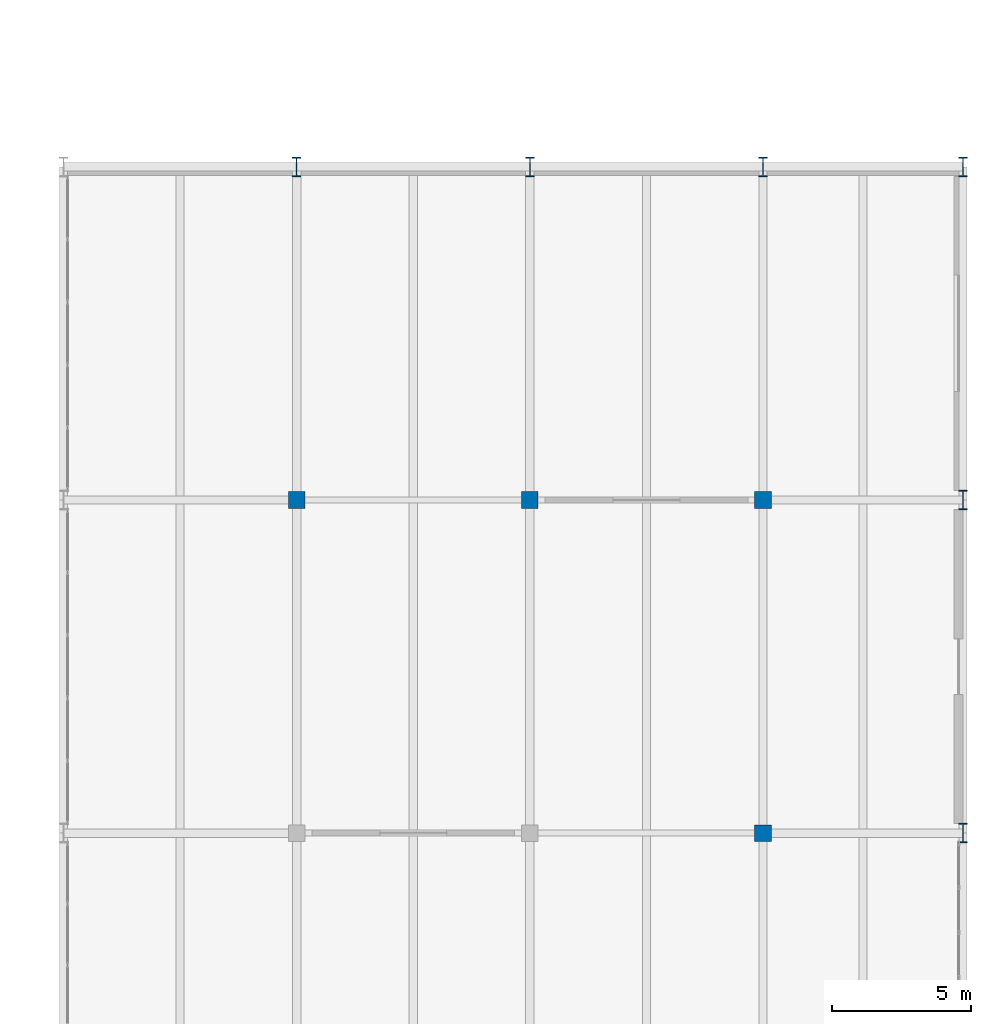
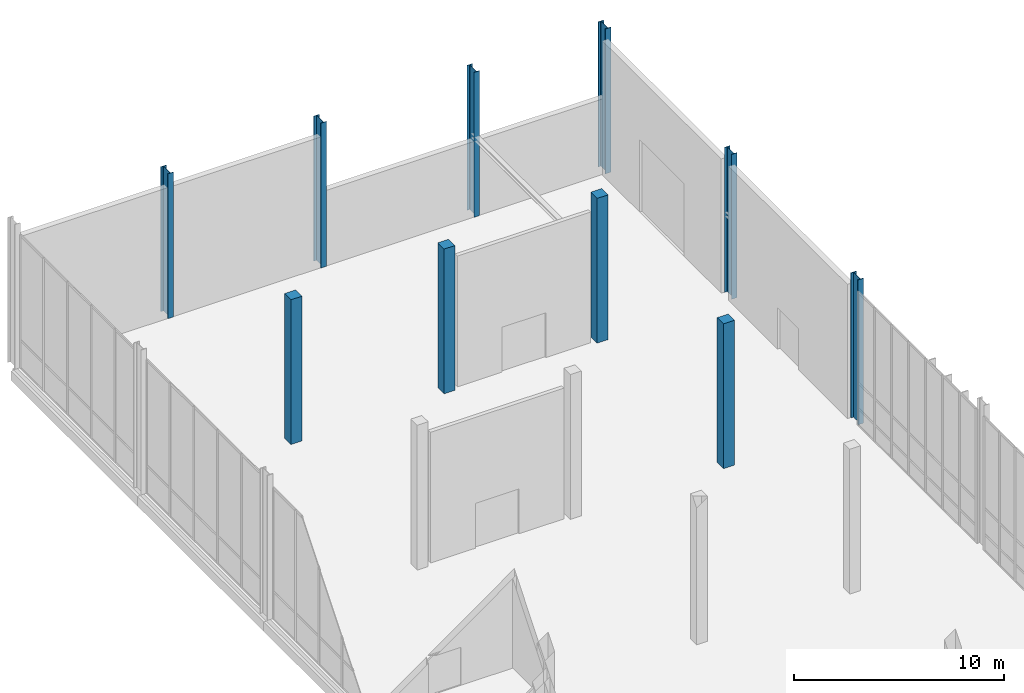
# One storey, part 14 of 131: 10 columns.
"""IFC4 building model written with IfcOpenShell, lengths in metres."""

from ifc_helpers import new_model, si_unit, direction, frame, origin, origin_2d, place, context, subcontext, project, spatial, rectangle, i_section, extrude, material, material_profile, profile_set, type_object, element, save


model = new_model("IFC4")

# Units and contexts
model_context = context("Model", 3, precision=1e-05, world=origin(), true_north=direction((0.0, 1.0)))
body_context = subcontext(model_context, "Body", "Model", "MODEL_VIEW")
ifc_project = project(units=[si_unit("LENGTHUNIT", "METRE"), si_unit("AREAUNIT", "SQUARE_METRE"), si_unit("VOLUMEUNIT", "CUBIC_METRE"), si_unit("PLANEANGLEUNIT", "RADIAN"), si_unit("MASSUNIT", "GRAM", prefix="KILO")], contexts=[model_context])

# Site, building, storey
site_placement = place(None, origin())
site = spatial("IfcSite", under=ifc_project, at=site_placement, CompositionType="ELEMENT")
building_placement = place(site_placement, origin())
building = spatial("IfcBuilding", under=site, at=building_placement, Name="Veltarok Museum of Natural Sciences", CompositionType="ELEMENT")
storey_placement = place(building_placement, origin())
storey = spatial("IfcBuildingStorey", under=building, at=storey_placement, Name="L00", CompositionType="ELEMENT", Elevation=0.0)

# Columns
ifc_material_1 = material(Name="Concrete C40/50", Category="concrete")
ifc_material_profile_1 = material_profile(ifc_material_1, rectangle(XDim=0.60009765625, YDim=0.60009765625, at=origin_2d()), Name="RC 600x600")
ifc_profile_set_1 = profile_set([ifc_material_profile_1], Name="Concrete C40/50")
column_type_1 = type_object("IfcColumnType", Name="Conservation Wing Column RC 600x600", PredefinedType="COLUMN", material=ifc_profile_set_1)
for number, where, z_axis, x_axis, name in (
    (1, (140.800048828125, 60.0, 0.0), (0.0, 0.0, 1.0), (1.0, 0.0, 0.0), "Column COL-RC02 L00 17/G"),
    (2, (149.199951171875, 60.0, 0.0), (0.0, 0.0, 1.0), (1.0, 0.0, 0.0), "Column COL-RC02 L00 18/G"),
    (3, (157.60009765625, 48.0, 0.0), (0.0, 0.0, 1.0), (1.0, 0.0, 0.0), "Column COL-RC02 L00 19/F"),
    (4, (157.60009765625, 60.0, 0.0), (0.0, 0.0, 1.0), (1.0, 0.0, 0.0), "Column COL-RC02 L00 19/G"),
):
    element("IfcColumn", number, at=place(storey_placement, frame(where, z_axis=z_axis, x_axis=x_axis)), inside=storey, type_object=column_type_1, Name=name, PredefinedType="COLUMN", context=body_context, shape_type="SweptSolid", body=[
        extrude(rectangle(XDim=0.60009765625, YDim=0.60009765625, at=origin_2d()), origin(), (0.0, 0.0, 1.0), 8.39990234375),
    ])
ifc_material_2 = material(Name="Steel S355J2", Category="steel")
ifc_material_profile_2 = material_profile(ifc_material_2, i_section(OverallWidth=0.300048828125, OverallDepth=0.699951171875, WebThickness=0.01708984375, FlangeThickness=0.031982421875, FilletRadius=0.027099609375, at=origin_2d()), Name="HEB 700")
ifc_profile_set_2 = profile_set([ifc_material_profile_2], Name="Steel S355J2")
column_type_2 = type_object("IfcColumnType", Name="Perimeter Steel Column HEB 700", PredefinedType="COLUMN", material=ifc_profile_set_2)
for number, where, z_axis, x_axis, name in (
    (5, (140.800048828125, 72.0, 0.0), (0.0, 0.0, 1.0), (1.0, 0.0, 0.0), "Column COL-EXT01 L00 17/H"),
    (6, (149.199951171875, 72.0, 0.0), (0.0, 0.0, 1.0), (1.0, 0.0, 0.0), "Column COL-EXT01 L00 18/H"),
    (7, (157.60009765625, 72.0, 0.0), (0.0, 0.0, 1.0), (1.0, 0.0, 0.0), "Column COL-EXT01 L00 19/H"),
    (8, (164.800048828125, 48.0, 0.0), (0.0, 0.0, 1.0), (1.0, 0.0, 0.0), "Column COL-EXT01 L00 20/F"),
    (9, (164.800048828125, 60.0, 0.0), (0.0, 0.0, 1.0), (1.0, 0.0, 0.0), "Column COL-EXT01 L00 20/G"),
    (10, (164.800048828125, 72.0, 0.0), (0.0, 0.0, 1.0), (1.0, 0.0, 0.0), "Column COL-EXT01 L00 20/H"),
):
    element("IfcColumn", number, at=place(storey_placement, frame(where, z_axis=z_axis, x_axis=x_axis)), inside=storey, type_object=column_type_2, Name=name, PredefinedType="COLUMN", context=body_context, shape_type="SweptSolid", body=[
        extrude(i_section(OverallWidth=0.300048828125, OverallDepth=0.699951171875, WebThickness=0.01708984375, FlangeThickness=0.031982421875, FilletRadius=0.027099609375, at=origin_2d()), origin(), (0.0, 0.0, 1.0), 8.39990234375),
    ])

save(model, "model.ifc")
